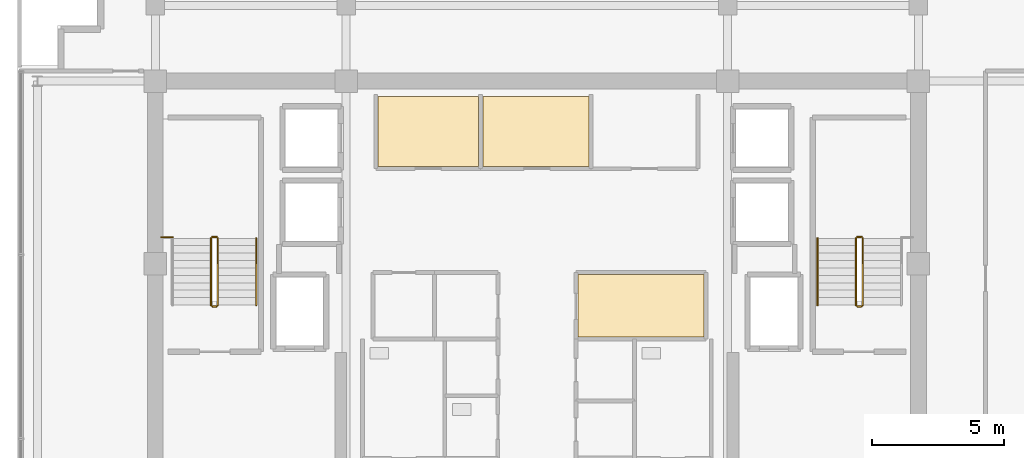
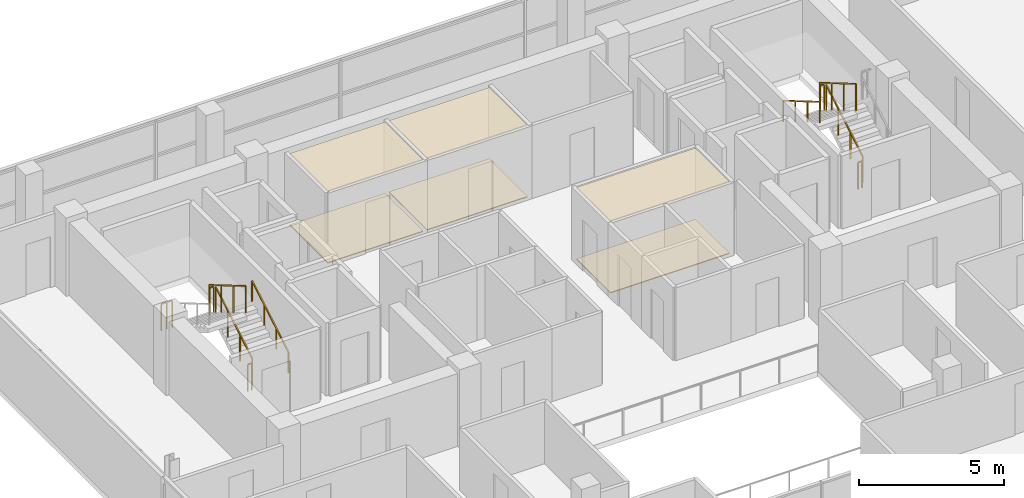
# One storey, part 20 of 22: 11 railings, 6 coverings.
"""IFC4 building model written with IfcOpenShell, lengths in metres."""

from ifc_helpers import new_model, si_unit, direction, frame, origin, origin_2d, place, context, subcontext, project, spatial, polyline, rectangle, outline, extrude, material, layer, layer_set, type_object, element, save


model = new_model("IFC4")

# Units and contexts
model_context = context("Model", 3, precision=1e-05, world=origin(), true_north=direction((0.0, 1.0)))
body_context = subcontext(model_context, "Body", "Model", "MODEL_VIEW")
ifc_project = project(units=[si_unit("LENGTHUNIT", "METRE"), si_unit("AREAUNIT", "SQUARE_METRE"), si_unit("VOLUMEUNIT", "CUBIC_METRE"), si_unit("PLANEANGLEUNIT", "RADIAN"), si_unit("MASSUNIT", "GRAM", prefix="KILO")], contexts=[model_context])

# Site, building, storey
site_placement = place(None, origin())
site = spatial("IfcSite", under=ifc_project, at=site_placement, CompositionType="ELEMENT")
building_placement = place(site_placement, origin())
building = spatial("IfcBuilding", under=site, at=building_placement, Name="Zarnakvel Exchange Tower", CompositionType="ELEMENT")
storey_placement = place(building_placement, frame((0.0, 0.0, 245.199951171875)))
storey = spatial("IfcBuildingStorey", under=building, at=storey_placement, Name="L69", CompositionType="ELEMENT", Elevation=245.199951171875)

# Coverings
ifc_material_1 = material(Name="Perforated Bronze Acoustic Metal Ceiling", Category="aluminium")
ifc_layer_1 = layer(ifc_material_1, 0.02001953125)
ifc_layer_set_1 = layer_set([ifc_layer_1], Name="Perforated Bronze Acoustic Metal Ceiling")
covering_type_1 = type_object("IfcCoveringType", Name="CLG-01", PredefinedType="CEILING", material=ifc_layer_set_1)
covering_1_placement = place(storey_placement, frame((0.0, 0.0, 3.01513671875)))
element("IfcCovering", 1, at=covering_1_placement, inside=storey, type_object=covering_type_1, Name="L69 Suspended Acoustic Ceiling (Clearing Records Office)", PredefinedType="CEILING", context=body_context, shape_type="SweptSolid", body=[
    extrude(outline(polyline([(-6.0, 12.919921875), (-2.199951171875, 12.919921875), (-2.199951171875, 10.280029296875), (-6.0, 10.280029296875), (-6.0, 12.919921875)])), origin(), (0.0, 0.0, 1.0), 0.02001953125),
])
covering_2_placement = place(storey_placement, frame((0.0, 0.0, 3.01513671875)))
element("IfcCovering", 2, at=covering_2_placement, inside=storey, type_object=covering_type_1, Name="L69 Suspended Acoustic Ceiling (Brokerage Filing Room)", PredefinedType="CEILING", context=body_context, shape_type="SweptSolid", body=[
    extrude(outline(polyline([(-2.0400390625, 12.919921875), (1.9599609375, 12.919921875), (1.9599609375, 10.280029296875), (-2.0400390625, 10.280029296875), (-2.0400390625, 12.919921875)])), origin(), (0.0, 0.0, 1.0), 0.02001953125),
])
covering_3_placement = place(storey_placement, frame((0.0, 0.0, 3.01513671875)))
element("IfcCovering", 3, at=covering_3_placement, inside=storey, type_object=covering_type_1, Name="L69 Suspended Acoustic Ceiling (Telemetry Server Suite)", PredefinedType="CEILING", context=body_context, shape_type="SweptSolid", body=[
    extrude(outline(polyline([(1.550048828125, 6.199951171875), (6.300048828125, 6.199951171875), (6.300048828125, 3.840087890625), (1.550048828125, 3.840087890625), (1.550048828125, 6.199951171875)])), origin(), (0.0, 0.0, 1.0), 0.02001953125),
])
ifc_material_2 = material(Name="Heavy-Duty Raised Access Floor Panel", Category="steel")
ifc_layer_2 = layer(ifc_material_2, 0.034912109375)
ifc_layer_set_2 = layer_set([ifc_layer_2], Name="Heavy-Duty Raised Access Floor Panel")
covering_type_2 = type_object("IfcCoveringType", Name="FLR-02", PredefinedType="FLOORING", material=ifc_layer_set_2)
covering_4_placement = place(storey_placement, origin())
element("IfcCovering", 4, at=covering_4_placement, inside=storey, type_object=covering_type_2, Name="L69 Floor Finish (Clearing Records Office)", PredefinedType="FLOORING", context=body_context, shape_type="SweptSolid", body=[
    extrude(outline(polyline([(-6.0, 12.919921875), (-2.199951171875, 12.919921875), (-2.199951171875, 10.280029296875), (-6.0, 10.280029296875), (-6.0, 12.919921875)])), origin(), (0.0, 0.0, 1.0), 0.03515625),
])
covering_5_placement = place(storey_placement, origin())
element("IfcCovering", 5, at=covering_5_placement, inside=storey, type_object=covering_type_2, Name="L69 Floor Finish (Brokerage Filing Room)", PredefinedType="FLOORING", context=body_context, shape_type="SweptSolid", body=[
    extrude(outline(polyline([(-2.0400390625, 12.919921875), (1.9599609375, 12.919921875), (1.9599609375, 10.280029296875), (-2.0400390625, 10.280029296875), (-2.0400390625, 12.919921875)])), origin(), (0.0, 0.0, 1.0), 0.03515625),
])
covering_6_placement = place(storey_placement, origin())
element("IfcCovering", 6, at=covering_6_placement, inside=storey, type_object=covering_type_2, Name="L69 Floor Finish (Telemetry Server Suite)", PredefinedType="FLOORING", context=body_context, shape_type="SweptSolid", body=[
    extrude(outline(polyline([(1.550048828125, 6.199951171875), (6.300048828125, 6.199951171875), (6.300048828125, 3.840087890625), (1.550048828125, 3.840087890625), (1.550048828125, 6.199951171875)])), origin(), (0.0, 0.0, 1.0), 0.03515625),
])

# Railings
ifc_material_3 = material(Name="Brushed Stainless Steel", Category="steel")
railing_type_1 = type_object("IfcRailingType", Name="HR-01", PredefinedType="HANDRAIL", material=ifc_material_3)
railing_1_placement = place(storey_placement, frame((-10.590087890625, 5.050048828125, 0.1650390625)))
element("IfcRailing", 7, at=railing_1_placement, inside=storey, type_object=railing_type_1, Name="L69 ST-01 stair handrail 1", PredefinedType="HANDRAIL", context=body_context, shape_type="SweptSolid", body=[
    extrude(rectangle(XDim=0.048095703125, YDim=0.048095703125, at=origin_2d()), frame((0.0, 0.0, 0.8759765625), z_axis=(0.0, 0.86152411907, 0.507716645641), x_axis=(-1.0, 0.0, 0.0)), (0.0, 0.0, 1.0), 2.925048828125),
    extrude(rectangle(XDim=0.0419921875, YDim=0.0419921875, at=origin_2d()), origin(), (0.0, 0.0, 1.0), 0.851806640625),
    extrude(rectangle(XDim=0.0419921875, YDim=0.0419921875, at=origin_2d()), frame((0.0, 0.840087890625, 0.4951171875)), (0.0, 0.0, 1.0), 0.851806640625),
    extrude(rectangle(XDim=0.0419921875, YDim=0.0419921875, at=origin_2d()), frame((0.0, 1.679931640625, 0.989990234375)), (0.0, 0.0, 1.0), 0.851806640625),
    extrude(rectangle(XDim=0.0419921875, YDim=0.0419921875, at=origin_2d()), frame((0.0, 2.52001953125, 1.485107421875)), (0.0, 0.0, 1.0), 0.851806640625),
])
railing_2_placement = place(storey_placement, frame((10.590087890625, 7.570068359375, 1.81494140625)))
element("IfcRailing", 8, at=railing_2_placement, inside=storey, type_object=railing_type_1, Name="L69 ST-02 stair handrail 2", PredefinedType="HANDRAIL", context=body_context, shape_type="SweptSolid", body=[
    extrude(rectangle(XDim=0.048095703125, YDim=0.048095703125, at=origin_2d()), frame((0.0, 0.0, 0.8759765625), z_axis=(0.0, -0.86152411907, 0.507716645641), x_axis=(1.0, 0.0, 0.0)), (0.0, 0.0, 1.0), 2.925048828125),
    extrude(rectangle(XDim=0.0419921875, YDim=0.0419921875, at=origin_2d()), origin(), (0.0, 0.0, 1.0), 0.851806640625),
    extrude(rectangle(XDim=0.0419921875, YDim=0.0419921875, at=origin_2d()), frame((0.0, -0.840087890625, 0.4951171875)), (0.0, 0.0, 1.0), 0.851806640625),
    extrude(rectangle(XDim=0.0419921875, YDim=0.0419921875, at=origin_2d()), frame((0.0, -1.679931640625, 0.989990234375)), (0.0, 0.0, 1.0), 0.851806640625),
    extrude(rectangle(XDim=0.0419921875, YDim=0.0419921875, at=origin_2d()), frame((0.0, -2.52001953125, 1.485107421875)), (0.0, 0.0, 1.0), 0.851806640625),
])
ifc_material_4 = material(Name="Architectural Bronze Anodised Aluminium", Category="aluminium")
railing_type_2 = type_object("IfcRailingType", Name="SG-01", PredefinedType="GUARDRAIL", material=ifc_material_4)
railing_3_placement = place(storey_placement, frame((-12.0400390625, 5.050048828125, 0.1650390625)))
element("IfcRailing", 9, at=railing_3_placement, inside=storey, type_object=railing_type_2, Name="L69 ST-01 stair guard 1", PredefinedType="GUARDRAIL", context=body_context, shape_type="SweptSolid", body=[
    extrude(rectangle(XDim=0.048095703125, YDim=0.048095703125, at=origin_2d()), frame((0.0, 0.0, 1.1259765625), z_axis=(0.0, 0.86152411907, 0.507716645641), x_axis=(-1.0, 0.0, 0.0)), (0.0, 0.0, 1.0), 2.925048828125),
    extrude(rectangle(XDim=0.0419921875, YDim=0.0419921875, at=origin_2d()), origin(), (0.0, 0.0, 1.0), 1.101806640625),
    extrude(rectangle(XDim=0.0419921875, YDim=0.0419921875, at=origin_2d()), frame((0.0, 0.840087890625, 0.4951171875)), (0.0, 0.0, 1.0), 1.101806640625),
    extrude(rectangle(XDim=0.0419921875, YDim=0.0419921875, at=origin_2d()), frame((0.0, 1.679931640625, 0.989990234375)), (0.0, 0.0, 1.0), 1.101806640625),
    extrude(rectangle(XDim=0.0419921875, YDim=0.0419921875, at=origin_2d()), frame((0.0, 2.52001953125, 1.485107421875)), (0.0, 0.0, 1.0), 1.101806640625),
])
railing_4_placement = place(storey_placement, frame((-12.090087890625, 7.6201171875, 1.650146484375)))
element("IfcRailing", 10, at=railing_4_placement, inside=storey, type_object=railing_type_2, Name="L69 ST-01 stair guard 2", PredefinedType="GUARDRAIL", context=body_context, shape_type="SweptSolid", body=[
    extrude(rectangle(XDim=0.048095703125, YDim=0.048095703125, at=origin_2d()), frame((0.0, 0.0, 1.1259765625), z_axis=(-1.0, 0.0, 0.0), x_axis=(0.0, -1.0, 0.0)), (0.0, 0.0, 1.0), 0.159912109375),
    extrude(rectangle(XDim=0.0419921875, YDim=0.0419921875, at=origin_2d()), origin(), (0.0, 0.0, 1.0), 1.101806640625),
    extrude(rectangle(XDim=0.0419921875, YDim=0.0419921875, at=origin_2d()), frame((-0.159912109375, 0.0, 0.0)), (0.0, 0.0, 1.0), 1.101806640625),
])
railing_5_placement = place(storey_placement, frame((-12.300048828125, 7.570068359375, 1.81494140625)))
element("IfcRailing", 11, at=railing_5_placement, inside=storey, type_object=railing_type_2, Name="L69 ST-01 stair guard 3", PredefinedType="GUARDRAIL", context=body_context, shape_type="SweptSolid", body=[
    extrude(rectangle(XDim=0.048095703125, YDim=0.048095703125, at=origin_2d()), frame((0.0, 0.0, 1.1259765625), z_axis=(0.0, -0.86152411907, 0.507716645641), x_axis=(1.0, 0.0, 0.0)), (0.0, 0.0, 1.0), 2.925048828125),
    extrude(rectangle(XDim=0.0419921875, YDim=0.0419921875, at=origin_2d()), origin(), (0.0, 0.0, 1.0), 1.101806640625),
    extrude(rectangle(XDim=0.0419921875, YDim=0.0419921875, at=origin_2d()), frame((0.0, -0.840087890625, 0.4951171875)), (0.0, 0.0, 1.0), 1.101806640625),
    extrude(rectangle(XDim=0.0419921875, YDim=0.0419921875, at=origin_2d()), frame((0.0, -1.679931640625, 0.989990234375)), (0.0, 0.0, 1.0), 1.101806640625),
    extrude(rectangle(XDim=0.0419921875, YDim=0.0419921875, at=origin_2d()), frame((0.0, -2.52001953125, 1.485107421875)), (0.0, 0.0, 1.0), 1.101806640625),
])
railing_6_placement = place(storey_placement, frame((-12.090087890625, 5.0, 0.0)))
element("IfcRailing", 12, at=railing_6_placement, inside=storey, type_object=railing_type_2, Name="L69 ST-01 stair guard 4", PredefinedType="GUARDRAIL", context=body_context, shape_type="SweptSolid", body=[
    extrude(rectangle(XDim=0.048095703125, YDim=0.048095703125, at=origin_2d()), frame((0.0, 0.0, 1.1259765625), z_axis=(-1.0, 0.0, 0.0), x_axis=(0.0, -1.0, 0.0)), (0.0, 0.0, 1.0), 0.159912109375),
    extrude(rectangle(XDim=0.0419921875, YDim=0.0419921875, at=origin_2d()), origin(), (0.0, 0.0, 1.0), 1.101806640625),
    extrude(rectangle(XDim=0.0419921875, YDim=0.0419921875, at=origin_2d()), frame((-0.159912109375, 0.0, 0.0)), (0.0, 0.0, 1.0), 1.101806640625),
])
railing_7_placement = place(storey_placement, frame((-14.179931640625, 7.610107421875, 1.650146484375)))
element("IfcRailing", 13, at=railing_7_placement, inside=storey, type_object=railing_type_2, Name="L69 ST-01 Landing Slot Guardrail", PredefinedType="GUARDRAIL", context=body_context, shape_type="SweptSolid", body=[
    extrude(rectangle(XDim=0.048095703125, YDim=0.048095703125, at=origin_2d()), frame((0.0, 0.0, 1.1259765625), z_axis=(1.0, 0.0, 0.0), x_axis=(0.0, 1.0, 0.0)), (0.0, 0.0, 1.0), 0.429931640625),
    extrude(rectangle(XDim=0.0419921875, YDim=0.0419921875, at=origin_2d()), origin(), (0.0, 0.0, 1.0), 1.101806640625),
    extrude(rectangle(XDim=0.0419921875, YDim=0.0419921875, at=origin_2d()), frame((0.21484375, 0.0, 0.0)), (0.0, 0.0, 1.0), 1.101806640625),
    extrude(rectangle(XDim=0.0419921875, YDim=0.0419921875, at=origin_2d()), frame((0.429931640625, 0.0, 0.0)), (0.0, 0.0, 1.0), 1.101806640625),
])
railing_8_placement = place(storey_placement, frame((12.300048828125, 5.050048828125, 0.1650390625)))
element("IfcRailing", 14, at=railing_8_placement, inside=storey, type_object=railing_type_2, Name="L69 ST-02 stair guard 1", PredefinedType="GUARDRAIL", context=body_context, shape_type="SweptSolid", body=[
    extrude(rectangle(XDim=0.048095703125, YDim=0.048095703125, at=origin_2d()), frame((0.0, 0.0, 1.1259765625), z_axis=(0.0, 0.86152411907, 0.507716645641), x_axis=(-1.0, 0.0, 0.0)), (0.0, 0.0, 1.0), 2.925048828125),
    extrude(rectangle(XDim=0.0419921875, YDim=0.0419921875, at=origin_2d()), origin(), (0.0, 0.0, 1.0), 1.101806640625),
    extrude(rectangle(XDim=0.0419921875, YDim=0.0419921875, at=origin_2d()), frame((0.0, 0.840087890625, 0.4951171875)), (0.0, 0.0, 1.0), 1.101806640625),
    extrude(rectangle(XDim=0.0419921875, YDim=0.0419921875, at=origin_2d()), frame((0.0, 1.679931640625, 0.989990234375)), (0.0, 0.0, 1.0), 1.101806640625),
    extrude(rectangle(XDim=0.0419921875, YDim=0.0419921875, at=origin_2d()), frame((0.0, 2.52001953125, 1.485107421875)), (0.0, 0.0, 1.0), 1.101806640625),
])
railing_9_placement = place(storey_placement, frame((12.25, 7.6201171875, 1.650146484375)))
element("IfcRailing", 15, at=railing_9_placement, inside=storey, type_object=railing_type_2, Name="L69 ST-02 stair guard 2", PredefinedType="GUARDRAIL", context=body_context, shape_type="SweptSolid", body=[
    extrude(rectangle(XDim=0.048095703125, YDim=0.048095703125, at=origin_2d()), frame((0.0, 0.0, 1.1259765625), z_axis=(-1.0, 0.0, 0.0), x_axis=(0.0, -1.0, 0.0)), (0.0, 0.0, 1.0), 0.159912109375),
    extrude(rectangle(XDim=0.0419921875, YDim=0.0419921875, at=origin_2d()), origin(), (0.0, 0.0, 1.0), 1.101806640625),
    extrude(rectangle(XDim=0.0419921875, YDim=0.0419921875, at=origin_2d()), frame((-0.159912109375, 0.0, 0.0)), (0.0, 0.0, 1.0), 1.101806640625),
])
railing_10_placement = place(storey_placement, frame((12.0400390625, 7.570068359375, 1.81494140625)))
element("IfcRailing", 16, at=railing_10_placement, inside=storey, type_object=railing_type_2, Name="L69 ST-02 stair guard 3", PredefinedType="GUARDRAIL", context=body_context, shape_type="SweptSolid", body=[
    extrude(rectangle(XDim=0.048095703125, YDim=0.048095703125, at=origin_2d()), frame((0.0, 0.0, 1.1259765625), z_axis=(0.0, -0.86152411907, 0.507716645641), x_axis=(1.0, 0.0, 0.0)), (0.0, 0.0, 1.0), 2.925048828125),
    extrude(rectangle(XDim=0.0419921875, YDim=0.0419921875, at=origin_2d()), origin(), (0.0, 0.0, 1.0), 1.101806640625),
    extrude(rectangle(XDim=0.0419921875, YDim=0.0419921875, at=origin_2d()), frame((0.0, -0.840087890625, 0.4951171875)), (0.0, 0.0, 1.0), 1.101806640625),
    extrude(rectangle(XDim=0.0419921875, YDim=0.0419921875, at=origin_2d()), frame((0.0, -1.679931640625, 0.989990234375)), (0.0, 0.0, 1.0), 1.101806640625),
    extrude(rectangle(XDim=0.0419921875, YDim=0.0419921875, at=origin_2d()), frame((0.0, -2.52001953125, 1.485107421875)), (0.0, 0.0, 1.0), 1.101806640625),
])
railing_11_placement = place(storey_placement, frame((12.25, 5.0, 0.0)))
element("IfcRailing", 17, at=railing_11_placement, inside=storey, type_object=railing_type_2, Name="L69 ST-02 stair guard 4", PredefinedType="GUARDRAIL", context=body_context, shape_type="SweptSolid", body=[
    extrude(rectangle(XDim=0.048095703125, YDim=0.048095703125, at=origin_2d()), frame((0.0, 0.0, 1.1259765625), z_axis=(-1.0, 0.0, 0.0), x_axis=(0.0, -1.0, 0.0)), (0.0, 0.0, 1.0), 0.159912109375),
    extrude(rectangle(XDim=0.0419921875, YDim=0.0419921875, at=origin_2d()), origin(), (0.0, 0.0, 1.0), 1.101806640625),
    extrude(rectangle(XDim=0.0419921875, YDim=0.0419921875, at=origin_2d()), frame((-0.159912109375, 0.0, 0.0)), (0.0, 0.0, 1.0), 1.101806640625),
])

save(model, "model.ifc")
